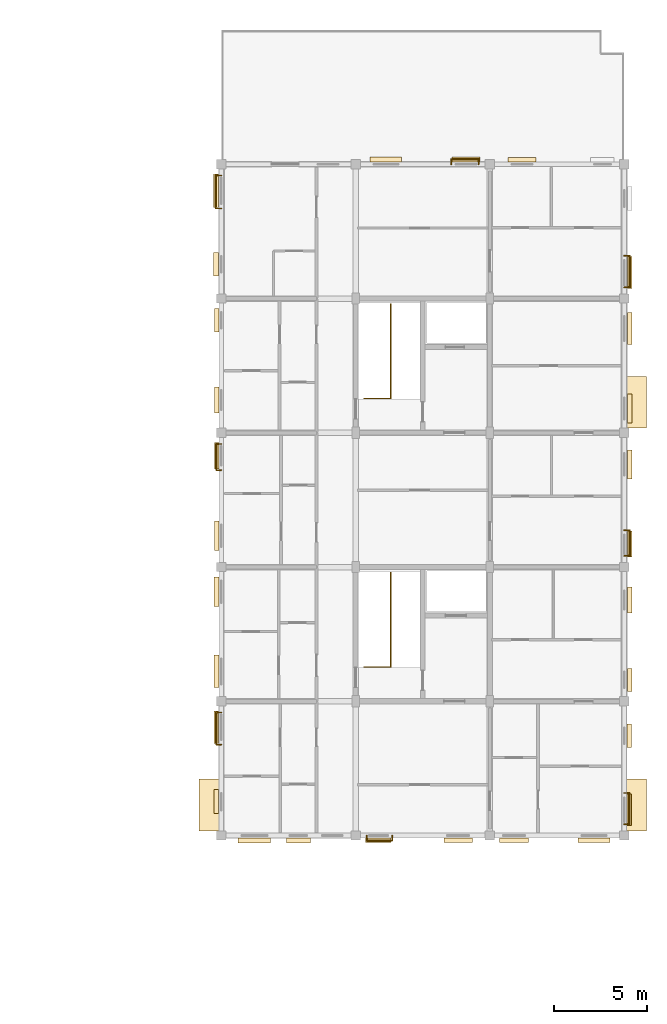
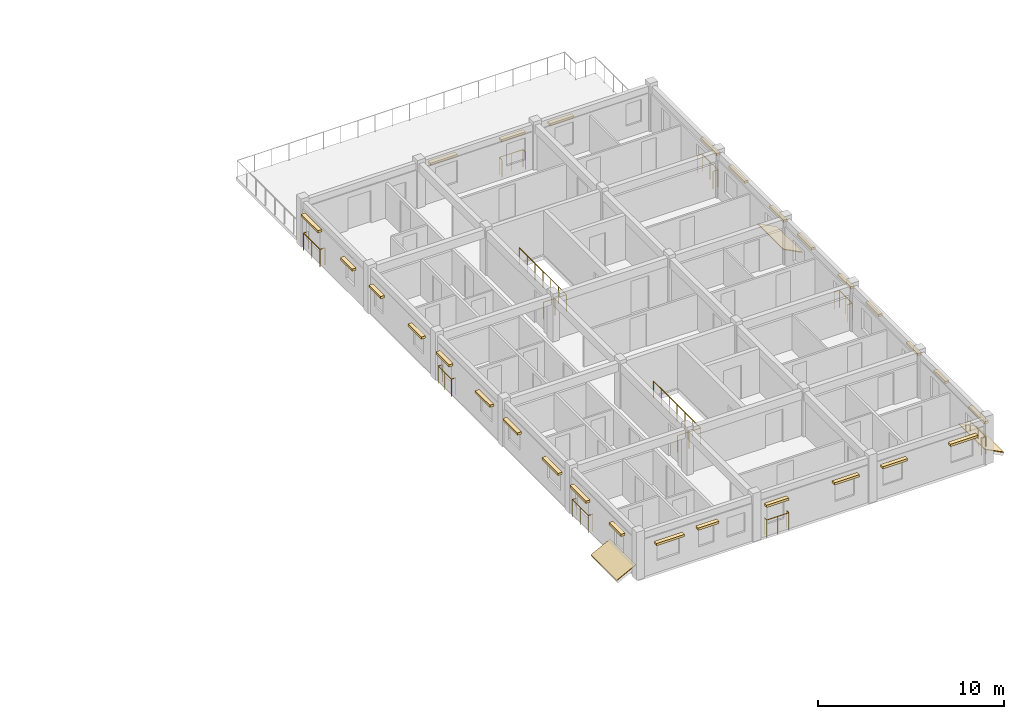
# One storey, part 34 of 38: 31 coverings, 10 railings.
"""IFC4 building model written with IfcOpenShell, lengths in metres."""

import ifcopenshell
import ifcopenshell.guid

model = None  # the IFC model being written
_history = None  # IfcOwnerHistory: only IFC2X3 demands one
_inside = {}  # id of a spatial element -> (the spatial element, [elements in it])
_under = {}  # id of a project, library or spatial element -> (it, [spatial elements below it])
_declared = {}  # id of a project -> (the project, [libraries it declares])
_typed = {}  # id of a type object -> (the type object, [elements of that type])
_made_of = {}  # id of a material, layer set ... -> (it, [elements and type objects made of it])


def new_model(schema):
    """Start an empty IFC model of exactly this schema.

    Asked for "IFC4X3", IfcOpenShell would pick the latest addendum, in which some entities
    have other attributes; the version numbers below select the first issue.
    IFC2X3 requires an IfcOwnerHistory on every rooted entity: one is made here for all.
    """
    global model, _history
    if schema == "IFC4X3":
        model = ifcopenshell.file(schema_version=(4, 3, 0, 0))
    else:
        model = ifcopenshell.file(schema=schema)
    _inside.clear()
    _under.clear()
    _declared.clear()
    _typed.clear()
    _made_of.clear()
    _history = None
    if model.schema == "IFC2X3":
        org = make("IfcOrganization", Name="unknown")
        user = make(
            "IfcPersonAndOrganization",
            ThePerson=make("IfcPerson", FamilyName="unknown"),
            TheOrganization=org,
        )
        app = make(
            "IfcApplication",
            ApplicationDeveloper=org,
            Version="unknown",
            ApplicationFullName="unknown",
            ApplicationIdentifier="unknown",
        )
        _history = make(
            "IfcOwnerHistory",
            OwningUser=user,
            OwningApplication=app,
            ChangeAction="ADDED",
            CreationDate=0,
        )
    return model


def make(cls, **values):
    """One entity of the class cls with the attributes given. An attribute that is None is left unset."""
    return model.create_entity(
        cls, **{name: value for name, value in values.items() if value is not None}
    )


def rooted(cls, **values):
    """An entity with a GlobalId (a new one), such as an element, a storey or a relation."""
    return make(cls, GlobalId=ifcopenshell.guid.new(), OwnerHistory=_history, **values)


def si_unit(unit_type, name, prefix=None):
    """IfcSIUnit, for example si_unit("LENGTHUNIT", "METRE", prefix="MILLI")."""
    return make("IfcSIUnit", UnitType=unit_type, Prefix=prefix, Name=name)


def assignment(units):
    """IfcUnitAssignment: the units of a project."""
    return None if units is None else make("IfcUnitAssignment", Units=units)


def point(xyz):
    """IfcCartesianPoint."""
    return None if xyz is None else make("IfcCartesianPoint", Coordinates=xyz)


def direction(xyz):
    """IfcDirection."""
    return None if xyz is None else make("IfcDirection", DirectionRatios=xyz)


def frame(location, z_axis=None, x_axis=None):
    """IfcAxis2Placement3D, a coordinate frame: its origin and axes. An axis left out is left unset."""
    return make(
        "IfcAxis2Placement3D",
        Location=point(location),
        Axis=direction(z_axis),
        RefDirection=direction(x_axis),
    )


def frame_2d(location, x_axis=None):
    """IfcAxis2Placement2D, a coordinate frame in the plane: its origin and x axis."""
    return make(
        "IfcAxis2Placement2D", Location=point(location), RefDirection=direction(x_axis)
    )


def origin():
    """The frame at (0, 0, 0) with its axes left unset."""
    return frame((0.0, 0.0, 0.0))


def origin_2d():
    """The frame at (0, 0) in the plane with its x axis left unset."""
    return frame_2d((0.0, 0.0))


def place(relative_to, where):
    """IfcLocalPlacement: puts the frame where relative to a parent placement (None: the world)."""
    return make(
        "IfcLocalPlacement", PlacementRelTo=relative_to, RelativePlacement=where
    )


def context(
    kind, dimensions, precision=None, world=None, true_north=None, identifier=None
):
    """IfcGeometricRepresentationContext, for example the 3D "Model" context."""
    return make(
        "IfcGeometricRepresentationContext",
        ContextIdentifier=identifier,
        ContextType=kind,
        CoordinateSpaceDimension=dimensions,
        Precision=precision,
        WorldCoordinateSystem=world,
        TrueNorth=true_north,
    )


def subcontext(parent, identifier, kind, view, scale=None):
    """IfcGeometricRepresentationSubContext, for example "Body" below "Model"."""
    return make(
        "IfcGeometricRepresentationSubContext",
        ContextIdentifier=identifier,
        ContextType=kind,
        ParentContext=parent,
        TargetScale=scale,
        TargetView=view,
    )


def project(units=None, contexts=None):
    """IfcProject with its units and contexts."""
    return rooted(
        "IfcProject",
        Name="project",
        RepresentationContexts=contexts,
        UnitsInContext=assignment(units),
    )


def spatial(cls, under=None, at=None, **own):
    """A site, building, storey or space (cls), placed at a placement, below another one or the project."""
    s = rooted(cls, ObjectPlacement=at, **own)
    if under is not None:
        _under.setdefault(under.id(), (under, []))[1].append(s)
    return s


def polyline(points):
    """IfcPolyline through the points."""
    return make("IfcPolyline", Points=[point(p) for p in points])


def profile(cls, at=None, kind="AREA", **sizes):
    """A parametric profile (cls). Its sizes go by their IFC names, for example OverallWidth=200.0."""
    return make(cls, ProfileType=kind, Position=at, **sizes)


def rectangle(**sizes):
    """IfcRectangleProfileDef."""
    return profile("IfcRectangleProfileDef", **sizes)


def circle(**sizes):
    """IfcCircleProfileDef."""
    return profile("IfcCircleProfileDef", **sizes)


def outline(outer, holes=None, kind="AREA"):
    """IfcArbitraryClosedProfileDef: a profile drawn as a closed curve; with holes, ...WithVoids."""
    if holes is None:
        return make("IfcArbitraryClosedProfileDef", ProfileType=kind, OuterCurve=outer)
    return make(
        "IfcArbitraryProfileDefWithVoids",
        ProfileType=kind,
        OuterCurve=outer,
        InnerCurves=holes,
    )


def extrude(swept, where, along, depth):
    """IfcExtrudedAreaSolid: the profile swept, set in the frame where, extruded along a direction by depth."""
    return make(
        "IfcExtrudedAreaSolid",
        SweptArea=swept,
        Position=where,
        ExtrudedDirection=direction(along),
        Depth=depth,
    )


def shape(context_of_items, identifier, shape_type, items):
    """IfcShapeRepresentation: the items that make up one representation, for example the "Body"."""
    return make(
        "IfcShapeRepresentation",
        ContextOfItems=context_of_items,
        RepresentationIdentifier=identifier,
        RepresentationType=shape_type,
        Items=items,
    )


def material(Name=None, Category=None):
    """IfcMaterial."""
    return make("IfcMaterial", Name=Name, Category=Category)


def layer(
    of_material, thickness, ventilated=None, Name=None, Category=None, Priority=None
):
    """IfcMaterialLayer: one layer of a wall or slab, of a material (None: an air gap)."""
    return make(
        "IfcMaterialLayer",
        Material=of_material,
        LayerThickness=thickness,
        IsVentilated=ventilated,
        Name=Name,
        Category=Category,
        Priority=Priority,
    )


def layer_set(layers, Name=None):
    """IfcMaterialLayerSet."""
    return make("IfcMaterialLayerSet", MaterialLayers=layers, LayerSetName=Name)


def made_of(thing, what):
    """Note that an element or type object is made of a material, layer set ...; save() writes the relation."""
    if what is not None:
        _made_of.setdefault(what.id(), (what, []))[1].append(thing)
    return thing


def type_object(cls, material=None, **own):
    """A type object (cls), such as IfcWallType, which elements share."""
    return made_of(rooted(cls, **own), material)


def element(
    cls,
    number,
    at=None,
    inside=None,
    cuts=None,
    type_object=None,
    material=None,
    context=None,
    identifier="Body",
    shape_type=None,
    held_by="IfcProductDefinitionShape",
    body=None,
    shapes=None,
    **own,
):
    """One element of the class cls, such as IfcWall. Its Tag is "e" and its number.

    at: its placement. inside: the storey or other place that contains it. cuts: it is an
    opening in that element (IfcRelVoidsElement). A single representation is given by context,
    identifier, shape_type and body (its items); several are given by shapes. held_by: the class
    of the entity that holds the representations. save() writes the other relations.
    """
    e = rooted(cls, Tag="e%d" % number, ObjectPlacement=at, **own)
    if body is not None:
        shapes = [shape(context, identifier, shape_type, body)]
    if shapes is not None:
        e.Representation = make(held_by, Representations=shapes)
    if inside is not None:
        _inside.setdefault(inside.id(), (inside, []))[1].append(e)
    if cuts is not None:
        rooted(
            "IfcRelVoidsElement", RelatingBuildingElement=cuts, RelatedOpeningElement=e
        )
    if type_object is not None:
        _typed.setdefault(type_object.id(), (type_object, []))[1].append(e)
    return made_of(e, material)


def aggregate(whole, parts):
    """IfcRelAggregates: a whole, such as a stair, and the parts it consists of."""
    return rooted("IfcRelAggregates", RelatingObject=whole, RelatedObjects=parts)


def save(model, path):
    """Write the relations noted so far, then the file.

    IfcRelAggregates (storeys below a building ...), IfcRelContainedInSpatialStructure (elements
    in a storey), IfcRelDefinesByType, IfcRelAssociatesMaterial and IfcRelDeclares: one each for
    every whole, place, type object, material and project.
    """
    for whole, parts in _under.values():
        aggregate(whole, parts)
    for where, things in _inside.values():
        rooted(
            "IfcRelContainedInSpatialStructure",
            RelatedElements=things,
            RelatingStructure=where,
        )
    for kind, things in _typed.values():
        rooted("IfcRelDefinesByType", RelatedObjects=things, RelatingType=kind)
    for what, things in _made_of.values():
        rooted("IfcRelAssociatesMaterial", RelatedObjects=things, RelatingMaterial=what)
    for by, libraries in _declared.values():
        rooted("IfcRelDeclares", RelatingContext=by, RelatedDefinitions=libraries)
    model.write(path)


model = new_model("IFC4")

# Units and contexts
model_context = context("Model", 3, precision=1e-05, world=origin(), true_north=direction((0.0, 1.0)))
body_context = subcontext(model_context, "Body", "Model", "MODEL_VIEW")
ifc_project = project(units=[si_unit("LENGTHUNIT", "METRE"), si_unit("AREAUNIT", "SQUARE_METRE"), si_unit("VOLUMEUNIT", "CUBIC_METRE"), si_unit("PLANEANGLEUNIT", "RADIAN"), si_unit("MASSUNIT", "GRAM", prefix="KILO"), si_unit("THERMODYNAMICTEMPERATUREUNIT", "KELVIN"), si_unit("POWERUNIT", "WATT")], contexts=[model_context])

# Site, building, storey
site_placement = place(None, origin())
site = spatial("IfcSite", under=ifc_project, at=site_placement, CompositionType="ELEMENT")
building_placement = place(site_placement, origin())
building = spatial("IfcBuilding", under=site, at=building_placement, Name="Tavuni Mirador Residences", CompositionType="ELEMENT")
storey_placement = place(building_placement, frame((0.0, 0.0, 32.85009765625)))
storey = spatial("IfcBuildingStorey", under=building, at=storey_placement, Name="L10", CompositionType="ELEMENT", Elevation=32.85009765625)

# Coverings
ifc_material_1 = material(Name="Natural coral limestone", Category="masonry")
ifc_layer_1 = layer(ifc_material_1, 0.054931640625, Name="Natural coral limestone", Category="masonry")
ifc_layer_set_1 = layer_set([ifc_layer_1], Name="Natural coral limestone")
covering_type_1 = type_object("IfcCoveringType", Name="CVT-CLAD-CORAL", PredefinedType="CLADDING", material=ifc_layer_set_1)
covering_1_placement = place(storey_placement, frame((98.97509765625, 86.133056640625, 1.954833984375), z_axis=(0.0, 0.0, 1.0), x_axis=(1.0, 0.0, 0.0)))
element("IfcCovering", 1, at=covering_1_placement, inside=storey, type_object=covering_type_1, Name="HOOD-1075", PredefinedType="CLADDING", context=body_context, shape_type="SweptSolid", body=[
    extrude(rectangle(XDim=1.739990234375, YDim=0.25, at=origin_2d()), origin(), (0.0, 0.0, 1.0), 0.14990234375),
])
covering_2_placement = place(storey_placement, frame((101.330078125, 86.133056640625, 2.06494140625), z_axis=(0.0, 0.0, 1.0), x_axis=(1.0, 0.0, 0.0)))
element("IfcCovering", 2, at=covering_2_placement, inside=storey, type_object=covering_type_1, Name="HOOD-1076", PredefinedType="CLADDING", context=body_context, shape_type="SweptSolid", body=[
    extrude(rectangle(XDim=1.300048828125, YDim=0.25, at=origin_2d()), origin(), (0.0, 0.0, 1.0), 0.14990234375),
])
covering_3_placement = place(storey_placement, frame((105.6201171875, 86.140380859375, 2.06494140625), z_axis=(0.0, 0.0, 1.0), x_axis=(1.0, 0.0, 0.0)))
element("IfcCovering", 3, at=covering_3_placement, inside=storey, type_object=covering_type_1, Name="HOOD-1078", PredefinedType="CLADDING", context=body_context, shape_type="SweptSolid", body=[
    extrude(rectangle(XDim=1.3798828125, YDim=0.25, at=origin_2d()), origin(), (0.0, 0.0, 1.0), 0.14990234375),
])
for number, where, z_axis, x_axis, name in (
    (4, (109.89990234375, 86.140380859375, 2.06494140625), (0.0, 0.0, 1.0), (1.0, 0.0, 0.0), "HOOD-1079"),
    (5, (112.89990234375, 86.150390625, 2.06494140625), (0.0, 0.0, 1.0), (1.0, 0.0, 0.0), "HOOD-1081"),
):
    element("IfcCovering", number, at=place(storey_placement, frame(where, z_axis=z_axis, x_axis=x_axis)), inside=storey, type_object=covering_type_1, Name=name, PredefinedType="CLADDING", context=body_context, shape_type="SweptSolid", body=[
        extrude(rectangle(XDim=1.5400390625, YDim=0.25, at=origin_2d()), origin(), (0.0, 0.0, 1.0), 0.14990234375),
    ])
for number, where, z_axis, x_axis, name in (
    (6, (117.179931640625, 86.150390625, 2.06494140625), (0.0, 0.0, 1.0), (1.0, 0.0, 0.0), "HOOD-1082"),
    (7, (119.06689453125, 87.780029296875, 2.06494140625), (0.0, 0.0, 1.0), (0.0, 1.0, 0.0), "HOOD-1084"),
):
    element("IfcCovering", number, at=place(storey_placement, frame(where, z_axis=z_axis, x_axis=x_axis)), inside=storey, type_object=covering_type_1, Name=name, PredefinedType="CLADDING", context=body_context, shape_type="SweptSolid", body=[
        extrude(rectangle(XDim=1.699951171875, YDim=0.25, at=origin_2d()), origin(), (0.0, 0.0, 1.0), 0.14990234375),
    ])
for number, where, z_axis, x_axis, name in (
    (8, (119.06689453125, 91.75, 2.1650390625), (0.0, 0.0, 1.0), (0.0, 1.0, 0.0), "HOOD-1085"),
    (9, (119.094482421875, 94.75, 2.1650390625), (0.0, 0.0, 1.0), (0.0, 1.0, 0.0), "HOOD-1087"),
):
    element("IfcCovering", number, at=place(storey_placement, frame(where, z_axis=z_axis, x_axis=x_axis)), inside=storey, type_object=covering_type_1, Name=name, PredefinedType="CLADDING", context=body_context, shape_type="SweptSolid", body=[
        extrude(rectangle(XDim=1.239990234375, YDim=0.25, at=origin_2d()), origin(), (0.0, 0.0, 1.0), 0.14990234375),
    ])
for number, where, z_axis, x_axis, name in (
    (10, (119.094482421875, 99.030029296875, 2.1650390625), (0.0, 0.0, 1.0), (0.0, 1.0, 0.0), "HOOD-1088"),
    (11, (119.094482421875, 102.030029296875, 2.1650390625), (0.0, 0.0, 1.0), (0.0, 1.0, 0.0), "HOOD-1090"),
):
    element("IfcCovering", number, at=place(storey_placement, frame(where, z_axis=z_axis, x_axis=x_axis)), inside=storey, type_object=covering_type_1, Name=name, PredefinedType="CLADDING", context=body_context, shape_type="SweptSolid", body=[
        extrude(rectangle(XDim=1.39990234375, YDim=0.25, at=origin_2d()), origin(), (0.0, 0.0, 1.0), 0.14990234375),
    ])
for number, where, z_axis, x_axis, name in (
    (12, (119.094482421875, 106.31005859375, 2.1650390625), (0.0, 0.0, 1.0), (0.0, 1.0, 0.0), "HOOD-1091"),
    (13, (119.094482421875, 109.31005859375, 2.1650390625), (0.0, 0.0, 1.0), (0.0, 1.0, 0.0), "HOOD-1093"),
):
    element("IfcCovering", number, at=place(storey_placement, frame(where, z_axis=z_axis, x_axis=x_axis)), inside=storey, type_object=covering_type_1, Name=name, PredefinedType="CLADDING", context=body_context, shape_type="SweptSolid", body=[
        extrude(rectangle(XDim=1.56005859375, YDim=0.25, at=origin_2d()), origin(), (0.0, 0.0, 1.0), 0.14990234375),
    ])
for number, where, z_axis, x_axis, name in (
    (14, (119.094482421875, 113.590087890625, 2.1650390625), (0.0, 0.0, 1.0), (0.0, 1.0, 0.0), "HOOD-1094"),
    (15, (119.094482421875, 116.590087890625, 2.1650390625), (0.0, 0.0, 1.0), (0.0, 1.0, 0.0), "HOOD-1096"),
):
    element("IfcCovering", number, at=place(storey_placement, frame(where, z_axis=z_axis, x_axis=x_axis)), inside=storey, type_object=covering_type_1, Name=name, PredefinedType="CLADDING", context=body_context, shape_type="SweptSolid", body=[
        extrude(rectangle(XDim=1.719970703125, YDim=0.25, at=origin_2d()), origin(), (0.0, 0.0, 1.0), 0.14990234375),
    ])
for number, where, z_axis, x_axis, name in (
    (16, (113.324951171875, 122.6494140625, 2.244873046875), (0.0, 0.0, 1.0), (-1.0, 0.0, 0.0), "HOOD-1100"),
    (17, (110.324951171875, 122.659423828125, 2.244873046875), (0.0, 0.0, 1.0), (-1.0, 0.0, 0.0), "HOOD-1102"),
):
    element("IfcCovering", number, at=place(storey_placement, frame(where, z_axis=z_axis, x_axis=x_axis)), inside=storey, type_object=covering_type_1, Name=name, PredefinedType="CLADDING", context=body_context, shape_type="SweptSolid", body=[
        extrude(rectangle(XDim=1.489990234375, YDim=0.25, at=origin_2d()), origin(), (0.0, 0.0, 1.0), 0.14990234375),
    ])
covering_4_placement = place(storey_placement, frame((106.02490234375, 122.659423828125, 2.244873046875), z_axis=(0.0, 0.0, 1.0), x_axis=(-1.0, 0.0, 0.0)))
element("IfcCovering", 18, at=covering_4_placement, inside=storey, type_object=covering_type_1, Name="HOOD-1103", PredefinedType="CLADDING", context=body_context, shape_type="SweptSolid", body=[
    extrude(rectangle(XDim=1.68994140625, YDim=0.25, at=origin_2d()), origin(), (0.0, 0.0, 1.0), 0.14990234375),
])
covering_5_placement = place(storey_placement, frame((96.9130859375, 120.97509765625, 2.244873046875), z_axis=(0.0, 0.0, 1.0), x_axis=(0.0, -1.0, 0.0)))
element("IfcCovering", 19, at=covering_5_placement, inside=storey, type_object=covering_type_1, Name="HOOD-1106", PredefinedType="CLADDING", context=body_context, shape_type="SweptSolid", body=[
    extrude(rectangle(XDim=1.7900390625, YDim=0.25, at=origin_2d()), origin(), (0.0, 0.0, 1.0), 0.14990234375),
])
for number, where, z_axis, x_axis, name in (
    (20, (96.9130859375, 117.0400390625, 1.954833984375), (0.0, 0.0, 1.0), (0.0, -1.0, 0.0), "HOOD-1107"),
    (21, (96.95556640625, 114.0400390625, 1.954833984375), (0.0, 0.0, 1.0), (0.0, -1.0, 0.0), "HOOD-1109"),
):
    element("IfcCovering", number, at=place(storey_placement, frame(where, z_axis=z_axis, x_axis=x_axis)), inside=storey, type_object=covering_type_1, Name=name, PredefinedType="CLADDING", context=body_context, shape_type="SweptSolid", body=[
        extrude(rectangle(XDim=1.260009765625, YDim=0.25, at=origin_2d()), origin(), (0.0, 0.0, 1.0), 0.14990234375),
    ])
for number, where, z_axis, x_axis, name in (
    (22, (96.95556640625, 109.760009765625, 1.954833984375), (0.0, 0.0, 1.0), (0.0, -1.0, 0.0), "HOOD-1110"),
    (23, (96.950439453125, 106.760009765625, 1.954833984375), (0.0, 0.0, 1.0), (0.0, -1.0, 0.0), "HOOD-1112"),
):
    element("IfcCovering", number, at=place(storey_placement, frame(where, z_axis=z_axis, x_axis=x_axis)), inside=storey, type_object=covering_type_1, Name=name, PredefinedType="CLADDING", context=body_context, shape_type="SweptSolid", body=[
        extrude(rectangle(XDim=1.419921875, YDim=0.25, at=origin_2d()), origin(), (0.0, 0.0, 1.0), 0.14990234375),
    ])
for number, where, z_axis, x_axis, name in (
    (24, (96.950439453125, 102.47998046875, 1.954833984375), (0.0, 0.0, 1.0), (0.0, -1.0, 0.0), "HOOD-1113"),
    (25, (96.9404296875, 99.47998046875, 1.954833984375), (0.0, 0.0, 1.0), (0.0, -1.0, 0.0), "HOOD-1115"),
):
    element("IfcCovering", number, at=place(storey_placement, frame(where, z_axis=z_axis, x_axis=x_axis)), inside=storey, type_object=covering_type_1, Name=name, PredefinedType="CLADDING", context=body_context, shape_type="SweptSolid", body=[
        extrude(rectangle(XDim=1.580078125, YDim=0.25, at=origin_2d()), origin(), (0.0, 0.0, 1.0), 0.14990234375),
    ])
for number, where, z_axis, x_axis, name in (
    (26, (96.9404296875, 95.199951171875, 1.954833984375), (0.0, 0.0, 1.0), (0.0, -1.0, 0.0), "HOOD-1116"),
    (27, (96.93310546875, 92.199951171875, 1.954833984375), (0.0, 0.0, 1.0), (0.0, -1.0, 0.0), "HOOD-1118"),
):
    element("IfcCovering", number, at=place(storey_placement, frame(where, z_axis=z_axis, x_axis=x_axis)), inside=storey, type_object=covering_type_1, Name=name, PredefinedType="CLADDING", context=body_context, shape_type="SweptSolid", body=[
        extrude(rectangle(XDim=1.739990234375, YDim=0.25, at=origin_2d()), origin(), (0.0, 0.0, 1.0), 0.14990234375),
    ])
covering_6_placement = place(storey_placement, frame((96.93310546875, 88.219970703125, 2.06494140625), z_axis=(0.0, 0.0, 1.0), x_axis=(0.0, -1.0, 0.0)))
element("IfcCovering", 28, at=covering_6_placement, inside=storey, type_object=covering_type_1, Name="HOOD-1119", PredefinedType="CLADDING", context=body_context, shape_type="SweptSolid", body=[
    extrude(rectangle(XDim=1.300048828125, YDim=0.25, at=origin_2d()), origin(), (0.0, 0.0, 1.0), 0.14990234375),
])
ifc_material_2 = material(Name="Glazed ceramic roof tile", Category="masonry")
ifc_layer_2 = layer(ifc_material_2, 0.044921875, Name="Glazed ceramic roof tile", Category="masonry")
ifc_layer_set_2 = layer_set([ifc_layer_2], Name="Glazed ceramic roof tile")
covering_type_2 = type_object("IfcCoveringType", Name="CVT-ROOF-TILE", PredefinedType="ROOFING", material=ifc_layer_set_2)
covering_7_placement = place(storey_placement, frame((97.199951171875, 86.64990234375, 0.664794921875), z_axis=(-0.458960601939, 0.0, 0.888456620138), x_axis=(0.0, 1.0, 0.0)))
element("IfcCovering", 29, at=covering_7_placement, inside=storey, type_object=covering_type_2, Name="COV-RF-MIR-D-WU", PredefinedType="ROOFING", context=body_context, shape_type="SweptSolid", body=[
    extrude(outline(polyline([(0.0, 0.0), (2.77001953125, 0.0), (2.77001953125, 1.3506018692147148), (0.0, 1.3506018692147148), (0.0, 0.0)])), origin(), (0.0, 0.0, -1.0), 0.044921875),
])
for number, where, z_axis, x_axis, name in (
    (30, (118.800048828125, 86.64990234375, 0.664794921875), (0.458960601939, 0.0, 0.888456620138), (0.0, 1.0, 0.0), "COV-RF-MIR-D-E1"),
    (31, (118.800048828125, 108.25, 0.664794921875), (0.458960601939, 0.0, 0.888456620138), (0.0, 1.0, 0.0), "COV-RF-MIR-D-E2"),
):
    element("IfcCovering", number, at=place(storey_placement, frame(where, z_axis=z_axis, x_axis=x_axis)), inside=storey, type_object=covering_type_2, Name=name, PredefinedType="ROOFING", context=body_context, shape_type="SweptSolid", body=[
        extrude(outline(polyline([(0.0, 0.0), (2.77001953125, 0.0), (2.77001953125, -1.3506018692147148), (0.0, -1.3506018692147148), (0.0, 0.0)])), origin(), (0.0, 0.0, -1.0), 0.044921875),
    ])

# Railings
ifc_material_3 = material(Name="Structural steel S355", Category="steel")
railing_type_1 = type_object("IfcRailingType", Name="RT-BL1150", PredefinedType="BALUSTRADE", material=ifc_material_3)
railing_1_placement = place(storey_placement, frame((105.0, 86.39990234375, 0.039794921875)))
element("IfcRailing", 32, at=railing_1_placement, inside=storey, type_object=railing_type_1, Name="BALC-BLK-D-L10-S01", PredefinedType="BALUSTRADE", context=body_context, shape_type="SweptSolid", body=[
    extrude(circle(Radius=0.02392578125, at=origin_2d()), frame((0.0, 0.0, 1.1259765625), z_axis=(0.0, -1.0, 0.0), x_axis=(1.0, 0.0, 0.0)), (0.0, 0.0, 1.0), 0.27734375),
    extrude(circle(Radius=0.02392578125, at=origin_2d()), frame((0.0, -0.27734375, 1.1259765625), z_axis=(1.0, 0.0, 0.0), x_axis=(0.0, 1.0, 0.0)), (0.0, 0.0, 1.0), 1.360107421875),
    extrude(circle(Radius=0.02392578125, at=origin_2d()), frame((1.360107421875, -0.27734375, 1.1259765625), z_axis=(0.0, 1.0, 0.0), x_axis=(-1.0, 0.0, 0.0)), (0.0, 0.0, 1.0), 0.27734375),
    extrude(circle(Radius=0.02099609375, at=origin_2d()), origin(), (0.0, 0.0, 1.0), 1.101806640625),
    extrude(circle(Radius=0.02099609375, at=origin_2d()), frame((0.0, -0.27734375, 0.0)), (0.0, 0.0, 1.0), 1.101806640625),
    extrude(circle(Radius=0.02099609375, at=origin_2d()), frame((0.68017578125, -0.27734375, 0.0)), (0.0, 0.0, 1.0), 1.101806640625),
    extrude(circle(Radius=0.02099609375, at=origin_2d()), frame((1.360107421875, -0.27734375, 0.0)), (0.0, 0.0, 1.0), 1.101806640625),
    extrude(circle(Radius=0.02099609375, at=origin_2d()), frame((1.360107421875, 0.0, 0.0)), (0.0, 0.0, 1.0), 1.101806640625),
])
railing_2_placement = place(storey_placement, frame((118.800048828125, 87.0, 0.039794921875)))
element("IfcRailing", 33, at=railing_2_placement, inside=storey, type_object=railing_type_1, Name="BALC-BLK-D-L10-E00", PredefinedType="BALUSTRADE", context=body_context, shape_type="SweptSolid", body=[
    extrude(circle(Radius=0.02392578125, at=origin_2d()), frame((0.0, 0.0, 1.1259765625), z_axis=(1.0, 0.0, 0.0), x_axis=(0.0, 1.0, 0.0)), (0.0, 0.0, 1.0), 0.284912109375),
    extrude(circle(Radius=0.02392578125, at=origin_2d()), frame((0.284912109375, 0.0, 1.1259765625), z_axis=(0.0, 1.0, 0.0), x_axis=(-1.0, 0.0, 0.0)), (0.0, 0.0, 1.0), 1.679931640625),
    extrude(circle(Radius=0.02392578125, at=origin_2d()), frame((0.284912109375, 1.679931640625, 1.1259765625), z_axis=(-1.0, 0.0, 0.0), x_axis=(0.0, -1.0, 0.0)), (0.0, 0.0, 1.0), 0.284912109375),
    extrude(circle(Radius=0.02099609375, at=origin_2d()), origin(), (0.0, 0.0, 1.0), 1.101806640625),
    extrude(circle(Radius=0.02099609375, at=origin_2d()), frame((0.284912109375, 0.0, 0.0)), (0.0, 0.0, 1.0), 1.101806640625),
    extrude(circle(Radius=0.02099609375, at=origin_2d()), frame((0.284912109375, 0.83984375, 0.0)), (0.0, 0.0, 1.0), 1.101806640625),
    extrude(circle(Radius=0.02099609375, at=origin_2d()), frame((0.284912109375, 1.679931640625, 0.0)), (0.0, 0.0, 1.0), 1.101806640625),
    extrude(circle(Radius=0.02099609375, at=origin_2d()), frame((0.0, 1.679931640625, 0.0)), (0.0, 0.0, 1.0), 1.101806640625),
])
railing_3_placement = place(storey_placement, frame((118.800048828125, 101.39990234375, 0.039794921875)))
element("IfcRailing", 34, at=railing_3_placement, inside=storey, type_object=railing_type_1, Name="BALC-BLK-D-L10-E02", PredefinedType="BALUSTRADE", context=body_context, shape_type="SweptSolid", body=[
    extrude(circle(Radius=0.02392578125, at=origin_2d()), frame((0.0, 0.0, 1.1259765625), z_axis=(1.0, 0.0, 0.0), x_axis=(0.0, 1.0, 0.0)), (0.0, 0.0, 1.0), 0.3125),
    extrude(circle(Radius=0.02392578125, at=origin_2d()), frame((0.3125, 0.0, 1.1259765625), z_axis=(0.0, 1.0, 0.0), x_axis=(-1.0, 0.0, 0.0)), (0.0, 0.0, 1.0), 1.380126953125),
    extrude(circle(Radius=0.02392578125, at=origin_2d()), frame((0.3125, 1.380126953125, 1.1259765625), z_axis=(-1.0, 0.0, 0.0), x_axis=(0.0, -1.0, 0.0)), (0.0, 0.0, 1.0), 0.3125),
    extrude(circle(Radius=0.02099609375, at=origin_2d()), origin(), (0.0, 0.0, 1.0), 1.101806640625),
    extrude(circle(Radius=0.02099609375, at=origin_2d()), frame((0.3125, 0.0, 0.0)), (0.0, 0.0, 1.0), 1.101806640625),
    extrude(circle(Radius=0.02099609375, at=origin_2d()), frame((0.3125, 0.68994140625, 0.0)), (0.0, 0.0, 1.0), 1.101806640625),
    extrude(circle(Radius=0.02099609375, at=origin_2d()), frame((0.3125, 1.380126953125, 0.0)), (0.0, 0.0, 1.0), 1.101806640625),
    extrude(circle(Radius=0.02099609375, at=origin_2d()), frame((0.0, 1.380126953125, 0.0)), (0.0, 0.0, 1.0), 1.101806640625),
])
railing_4_placement = place(storey_placement, frame((118.800048828125, 115.800048828125, 0.039794921875)))
element("IfcRailing", 35, at=railing_4_placement, inside=storey, type_object=railing_type_1, Name="BALC-BLK-D-L10-E04", PredefinedType="BALUSTRADE", context=body_context, shape_type="SweptSolid", body=[
    extrude(circle(Radius=0.02392578125, at=origin_2d()), frame((0.0, 0.0, 1.1259765625), z_axis=(1.0, 0.0, 0.0), x_axis=(0.0, 1.0, 0.0)), (0.0, 0.0, 1.0), 0.3125),
    extrude(circle(Radius=0.02392578125, at=origin_2d()), frame((0.3125, 0.0, 1.1259765625), z_axis=(0.0, 1.0, 0.0), x_axis=(-1.0, 0.0, 0.0)), (0.0, 0.0, 1.0), 1.699951171875),
    extrude(circle(Radius=0.02392578125, at=origin_2d()), frame((0.3125, 1.699951171875, 1.1259765625), z_axis=(-1.0, 0.0, 0.0), x_axis=(0.0, -1.0, 0.0)), (0.0, 0.0, 1.0), 0.3125),
    extrude(circle(Radius=0.02099609375, at=origin_2d()), origin(), (0.0, 0.0, 1.0), 1.101806640625),
    extrude(circle(Radius=0.02099609375, at=origin_2d()), frame((0.3125, 0.0, 0.0)), (0.0, 0.0, 1.0), 1.101806640625),
    extrude(circle(Radius=0.02099609375, at=origin_2d()), frame((0.3125, 0.85009765625, 0.0)), (0.0, 0.0, 1.0), 1.101806640625),
    extrude(circle(Radius=0.02099609375, at=origin_2d()), frame((0.3125, 1.699951171875, 0.0)), (0.0, 0.0, 1.0), 1.101806640625),
    extrude(circle(Radius=0.02099609375, at=origin_2d()), frame((0.0, 1.699951171875, 0.0)), (0.0, 0.0, 1.0), 1.101806640625),
])
railing_5_placement = place(storey_placement, frame((111.0, 122.39990234375, 0.039794921875)))
element("IfcRailing", 36, at=railing_5_placement, inside=storey, type_object=railing_type_1, Name="BALC-BLK-D-L10-N01", PredefinedType="BALUSTRADE", context=body_context, shape_type="SweptSolid", body=[
    extrude(circle(Radius=0.02392578125, at=origin_2d()), frame((0.0, 0.0, 1.1259765625), z_axis=(0.0, 1.0, 0.0), x_axis=(-1.0, 0.0, 0.0)), (0.0, 0.0, 1.0), 0.277587890625),
    extrude(circle(Radius=0.02392578125, at=origin_2d()), frame((0.0, 0.277587890625, 1.1259765625), z_axis=(-1.0, 0.0, 0.0), x_axis=(0.0, -1.0, 0.0)), (0.0, 0.0, 1.0), 1.469970703125),
    extrude(circle(Radius=0.02392578125, at=origin_2d()), frame((-1.469970703125, 0.277587890625, 1.1259765625), z_axis=(0.0, -1.0, 0.0), x_axis=(1.0, 0.0, 0.0)), (0.0, 0.0, 1.0), 0.277587890625),
    extrude(circle(Radius=0.02099609375, at=origin_2d()), origin(), (0.0, 0.0, 1.0), 1.101806640625),
    extrude(circle(Radius=0.02099609375, at=origin_2d()), frame((0.0, 0.277587890625, 0.0)), (0.0, 0.0, 1.0), 1.101806640625),
    extrude(circle(Radius=0.02099609375, at=origin_2d()), frame((-0.73486328125, 0.277587890625, 0.0)), (0.0, 0.0, 1.0), 1.101806640625),
    extrude(circle(Radius=0.02099609375, at=origin_2d()), frame((-1.469970703125, 0.277587890625, 0.0)), (0.0, 0.0, 1.0), 1.101806640625),
    extrude(circle(Radius=0.02099609375, at=origin_2d()), frame((-1.469970703125, 0.0, 0.0)), (0.0, 0.0, 1.0), 1.101806640625),
])
railing_6_placement = place(storey_placement, frame((97.199951171875, 121.800048828125, 0.039794921875)))
element("IfcRailing", 37, at=railing_6_placement, inside=storey, type_object=railing_type_1, Name="BALC-BLK-D-L10-W04", PredefinedType="BALUSTRADE", context=body_context, shape_type="SweptSolid", body=[
    extrude(circle(Radius=0.02392578125, at=origin_2d()), frame((0.0, 0.0, 1.1259765625), z_axis=(-1.0, 0.0, 0.0), x_axis=(0.0, -1.0, 0.0)), (0.0, 0.0, 1.0), 0.304931640625),
    extrude(circle(Radius=0.02392578125, at=origin_2d()), frame((-0.304931640625, 0.0, 1.1259765625), z_axis=(0.0, -1.0, 0.0), x_axis=(1.0, 0.0, 0.0)), (0.0, 0.0, 1.0), 1.77001953125),
    extrude(circle(Radius=0.02392578125, at=origin_2d()), frame((-0.304931640625, -1.77001953125, 1.1259765625), z_axis=(1.0, 0.0, 0.0), x_axis=(0.0, 1.0, 0.0)), (0.0, 0.0, 1.0), 0.304931640625),
    extrude(circle(Radius=0.02099609375, at=origin_2d()), origin(), (0.0, 0.0, 1.0), 1.101806640625),
    extrude(circle(Radius=0.02099609375, at=origin_2d()), frame((-0.304931640625, 0.0, 0.0)), (0.0, 0.0, 1.0), 1.101806640625),
    extrude(circle(Radius=0.02099609375, at=origin_2d()), frame((-0.304931640625, -0.885009765625, 0.0)), (0.0, 0.0, 1.0), 1.101806640625),
    extrude(circle(Radius=0.02099609375, at=origin_2d()), frame((-0.304931640625, -1.77001953125, 0.0)), (0.0, 0.0, 1.0), 1.101806640625),
    extrude(circle(Radius=0.02099609375, at=origin_2d()), frame((0.0, -1.77001953125, 0.0)), (0.0, 0.0, 1.0), 1.101806640625),
])
railing_7_placement = place(storey_placement, frame((97.199951171875, 107.39990234375, 0.039794921875)))
element("IfcRailing", 38, at=railing_7_placement, inside=storey, type_object=railing_type_1, Name="BALC-BLK-D-L10-W02", PredefinedType="BALUSTRADE", context=body_context, shape_type="SweptSolid", body=[
    extrude(circle(Radius=0.02392578125, at=origin_2d()), frame((0.0, 0.0, 1.1259765625), z_axis=(-1.0, 0.0, 0.0), x_axis=(0.0, -1.0, 0.0)), (0.0, 0.0, 1.0), 0.267333984375),
    extrude(circle(Radius=0.02392578125, at=origin_2d()), frame((-0.267333984375, 0.0, 1.1259765625), z_axis=(0.0, -1.0, 0.0), x_axis=(1.0, 0.0, 0.0)), (0.0, 0.0, 1.0), 1.39990234375),
    extrude(circle(Radius=0.02392578125, at=origin_2d()), frame((-0.267333984375, -1.39990234375, 1.1259765625), z_axis=(1.0, 0.0, 0.0), x_axis=(0.0, 1.0, 0.0)), (0.0, 0.0, 1.0), 0.267333984375),
    extrude(circle(Radius=0.02099609375, at=origin_2d()), origin(), (0.0, 0.0, 1.0), 1.101806640625),
    extrude(circle(Radius=0.02099609375, at=origin_2d()), frame((-0.267333984375, 0.0, 0.0)), (0.0, 0.0, 1.0), 1.101806640625),
    extrude(circle(Radius=0.02099609375, at=origin_2d()), frame((-0.267333984375, -0.699951171875, 0.0)), (0.0, 0.0, 1.0), 1.101806640625),
    extrude(circle(Radius=0.02099609375, at=origin_2d()), frame((-0.267333984375, -1.39990234375, 0.0)), (0.0, 0.0, 1.0), 1.101806640625),
    extrude(circle(Radius=0.02099609375, at=origin_2d()), frame((0.0, -1.39990234375, 0.0)), (0.0, 0.0, 1.0), 1.101806640625),
])
railing_8_placement = place(storey_placement, frame((97.199951171875, 93.0, 0.039794921875)))
element("IfcRailing", 39, at=railing_8_placement, inside=storey, type_object=railing_type_1, Name="BALC-BLK-D-L10-W00", PredefinedType="BALUSTRADE", context=body_context, shape_type="SweptSolid", body=[
    extrude(circle(Radius=0.02392578125, at=origin_2d()), frame((0.0, 0.0, 1.1259765625), z_axis=(-1.0, 0.0, 0.0), x_axis=(0.0, -1.0, 0.0)), (0.0, 0.0, 1.0), 0.284912109375),
    extrude(circle(Radius=0.02392578125, at=origin_2d()), frame((-0.284912109375, 0.0, 1.1259765625), z_axis=(0.0, -1.0, 0.0), x_axis=(1.0, 0.0, 0.0)), (0.0, 0.0, 1.0), 1.719970703125),
    extrude(circle(Radius=0.02392578125, at=origin_2d()), frame((-0.284912109375, -1.719970703125, 1.1259765625), z_axis=(1.0, 0.0, 0.0), x_axis=(0.0, 1.0, 0.0)), (0.0, 0.0, 1.0), 0.284912109375),
    extrude(circle(Radius=0.02099609375, at=origin_2d()), origin(), (0.0, 0.0, 1.0), 1.101806640625),
    extrude(circle(Radius=0.02099609375, at=origin_2d()), frame((-0.284912109375, 0.0, 0.0)), (0.0, 0.0, 1.0), 1.101806640625),
    extrude(circle(Radius=0.02099609375, at=origin_2d()), frame((-0.284912109375, -0.85986328125, 0.0)), (0.0, 0.0, 1.0), 1.101806640625),
    extrude(circle(Radius=0.02099609375, at=origin_2d()), frame((-0.284912109375, -1.719970703125, 0.0)), (0.0, 0.0, 1.0), 1.101806640625),
    extrude(circle(Radius=0.02099609375, at=origin_2d()), frame((0.0, -1.719970703125, 0.0)), (0.0, 0.0, 1.0), 1.101806640625),
])
railing_type_2 = type_object("IfcRailingType", Name="RT-GR1120", PredefinedType="GUARDRAIL", material=ifc_material_3)
railing_9_placement = place(storey_placement, frame((104.85009765625, 95.43994140625, 0.0)))
element("IfcRailing", 40, at=railing_9_placement, inside=storey, type_object=railing_type_2, Name="GRD-TOP-ST7", PredefinedType="GUARDRAIL", context=body_context, shape_type="SweptSolid", body=[
    extrude(circle(Radius=0.02392578125, at=origin_2d()), frame((0.0, 0.0, 1.09619140625), z_axis=(1.0, 0.0, 0.0), x_axis=(0.0, 1.0, 0.0)), (0.0, 0.0, 1.0), 1.429931640625),
    extrude(circle(Radius=0.02392578125, at=origin_2d()), frame((1.429931640625, 0.0, 1.09619140625), z_axis=(0.0, 1.0, 0.0), x_axis=(-1.0, 0.0, 0.0)), (0.0, 0.0, 1.0), 5.06005859375),
    extrude(circle(Radius=0.02099609375, at=origin_2d()), origin(), (0.0, 0.0, 1.0), 1.072021484375),
    extrude(circle(Radius=0.02099609375, at=origin_2d()), frame((0.71484375, 0.0, 0.0)), (0.0, 0.0, 1.0), 1.072021484375),
    extrude(circle(Radius=0.02099609375, at=origin_2d()), frame((1.429931640625, 0.0, 0.0)), (0.0, 0.0, 1.0), 1.072021484375),
    extrude(circle(Radius=0.02099609375, at=origin_2d()), frame((1.429931640625, 0.84326171875, 0.0)), (0.0, 0.0, 1.0), 1.072021484375),
    extrude(circle(Radius=0.02099609375, at=origin_2d()), frame((1.429931640625, 1.686767578125, 0.0)), (0.0, 0.0, 1.0), 1.072021484375),
    extrude(circle(Radius=0.02099609375, at=origin_2d()), frame((1.429931640625, 2.530029296875, 0.0)), (0.0, 0.0, 1.0), 1.072021484375),
    extrude(circle(Radius=0.02099609375, at=origin_2d()), frame((1.429931640625, 3.373291015625, 0.0)), (0.0, 0.0, 1.0), 1.072021484375),
    extrude(circle(Radius=0.02099609375, at=origin_2d()), frame((1.429931640625, 4.216796875, 0.0)), (0.0, 0.0, 1.0), 1.072021484375),
    extrude(circle(Radius=0.02099609375, at=origin_2d()), frame((1.429931640625, 5.06005859375, 0.0)), (0.0, 0.0, 1.0), 1.072021484375),
])
railing_10_placement = place(storey_placement, frame((104.85009765625, 109.840087890625, 0.0)))
element("IfcRailing", 41, at=railing_10_placement, inside=storey, type_object=railing_type_2, Name="GRD-TOP-ST8", PredefinedType="GUARDRAIL", context=body_context, shape_type="SweptSolid", body=[
    extrude(circle(Radius=0.02392578125, at=origin_2d()), frame((0.0, 0.0, 1.09619140625), z_axis=(1.0, 0.0, 0.0), x_axis=(0.0, 1.0, 0.0)), (0.0, 0.0, 1.0), 1.429931640625),
    extrude(circle(Radius=0.02392578125, at=origin_2d()), frame((1.429931640625, 0.0, 1.09619140625), z_axis=(0.0, 1.0, 0.0), x_axis=(-1.0, 0.0, 0.0)), (0.0, 0.0, 1.0), 5.059814453125),
    extrude(circle(Radius=0.02099609375, at=origin_2d()), origin(), (0.0, 0.0, 1.0), 1.072021484375),
    extrude(circle(Radius=0.02099609375, at=origin_2d()), frame((0.71484375, 0.0, 0.0)), (0.0, 0.0, 1.0), 1.072021484375),
    extrude(circle(Radius=0.02099609375, at=origin_2d()), frame((1.429931640625, 0.0, 0.0)), (0.0, 0.0, 1.0), 1.072021484375),
    extrude(circle(Radius=0.02099609375, at=origin_2d()), frame((1.429931640625, 0.84326171875, 0.0)), (0.0, 0.0, 1.0), 1.072021484375),
    extrude(circle(Radius=0.02099609375, at=origin_2d()), frame((1.429931640625, 1.6865234375, 0.0)), (0.0, 0.0, 1.0), 1.072021484375),
    extrude(circle(Radius=0.02099609375, at=origin_2d()), frame((1.429931640625, 2.52978515625, 0.0)), (0.0, 0.0, 1.0), 1.072021484375),
    extrude(circle(Radius=0.02099609375, at=origin_2d()), frame((1.429931640625, 3.373291015625, 0.0)), (0.0, 0.0, 1.0), 1.072021484375),
    extrude(circle(Radius=0.02099609375, at=origin_2d()), frame((1.429931640625, 4.216552734375, 0.0)), (0.0, 0.0, 1.0), 1.072021484375),
    extrude(circle(Radius=0.02099609375, at=origin_2d()), frame((1.429931640625, 5.059814453125, 0.0)), (0.0, 0.0, 1.0), 1.072021484375),
])

save(model, "model.ifc")
